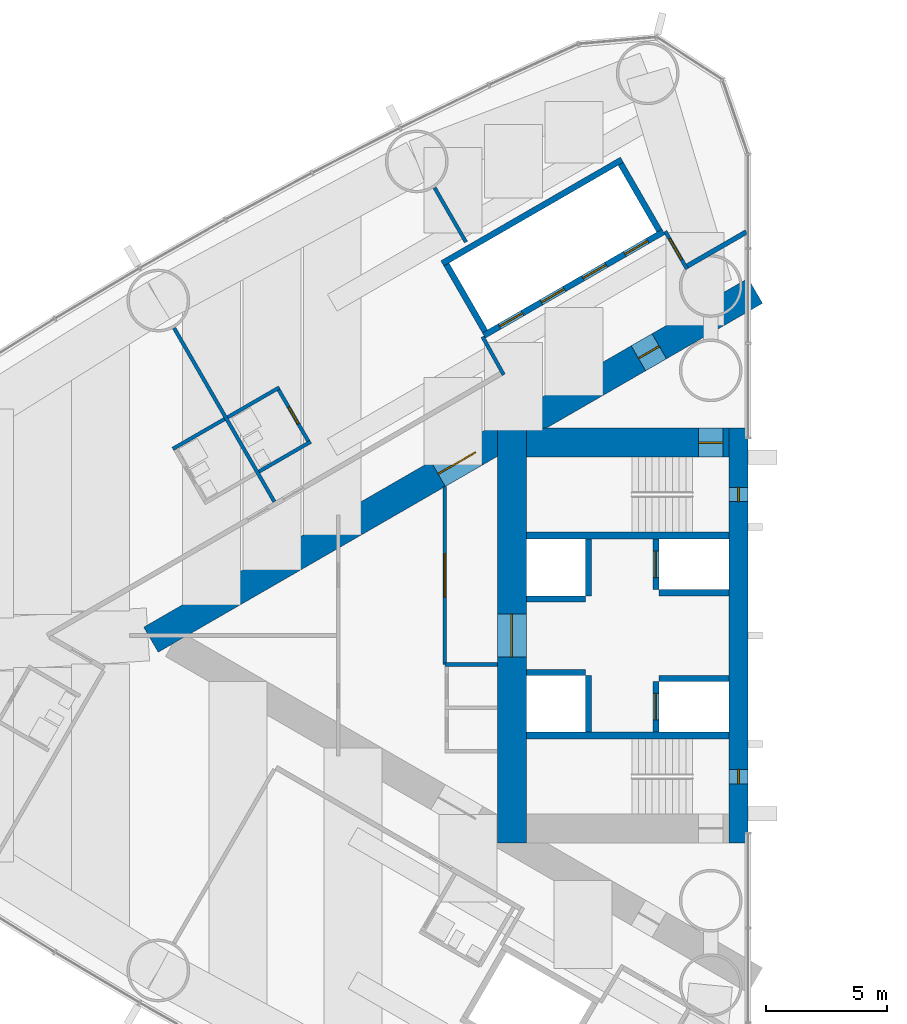
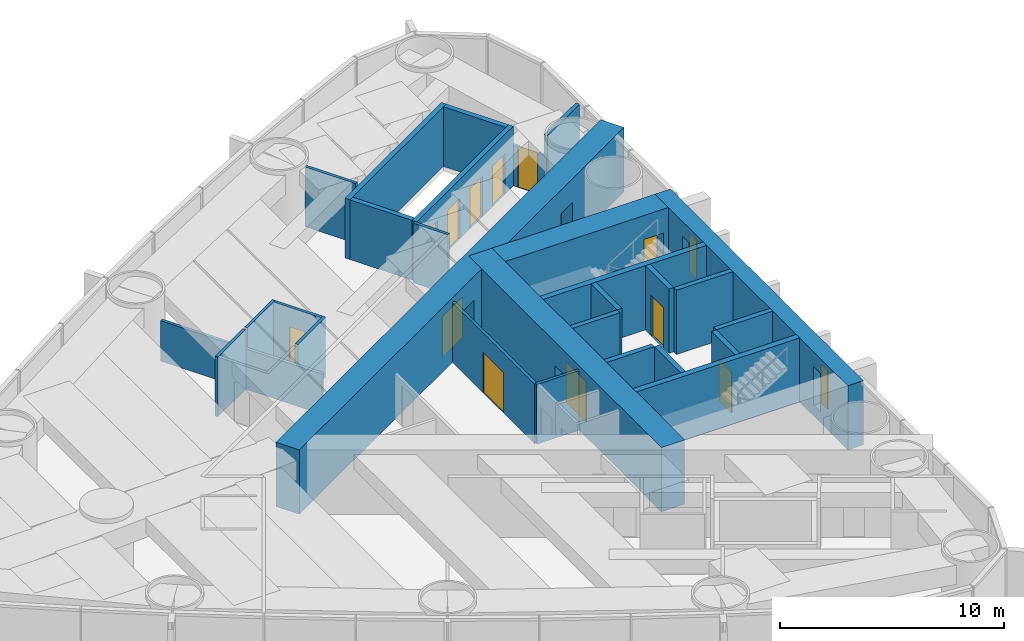
# One storey, part 12 of 18: 29 walls, 13 doors, 2 windows, 15 openings.
"""IFC4 building model written with IfcOpenShell, lengths in metres."""

from ifc_helpers import new_model, si_unit, direction, frame, frame_2d, origin, place, context, subcontext, project, spatial, rectangle, extrude, material, layer, layer_set, type_object, element, fill, save


model = new_model("IFC4")

# Units and contexts
model_context = context("Model", 3, precision=1e-05, world=origin(), true_north=direction((0.0, 1.0)))
body_context = subcontext(model_context, "Body", "Model", "MODEL_VIEW")
ifc_project = project(units=[si_unit("LENGTHUNIT", "METRE"), si_unit("AREAUNIT", "SQUARE_METRE"), si_unit("VOLUMEUNIT", "CUBIC_METRE"), si_unit("PLANEANGLEUNIT", "RADIAN"), si_unit("MASSUNIT", "GRAM", prefix="KILO")], contexts=[model_context])

# Site, building, storey
site_placement = place(None, origin())
site = spatial("IfcSite", under=ifc_project, at=site_placement, CompositionType="ELEMENT")
building_placement = place(site_placement, origin())
building = spatial("IfcBuilding", under=site, at=building_placement, Name="Lancet Gate Hotel", CompositionType="ELEMENT")
storey_placement = place(building_placement, frame((0.0, 0.0, 118.60009765625)))
storey = spatial("IfcBuildingStorey", under=building, at=storey_placement, Name="L31", CompositionType="ELEMENT", Elevation=118.60009765625)

# Walls
ifc_material_1 = material(Name="Moisture resistant board partition")
ifc_layer_1 = layer(ifc_material_1, 0.14990234375)
ifc_layer_set_1 = layer_set([ifc_layer_1], Name="Bathroom wall 150")
wall_type_1 = type_object("IfcWallType", Name="Bathroom wall 150", PredefinedType="PARTITIONING", material=ifc_layer_set_1)
wall_1_placement = place(storey_placement, frame((-49.216064453125, 8.97900390625, 0.0), z_axis=(0.0, 0.0, 1.0), x_axis=(-0.866031185235, -0.4999899861, 0.0)))
element("IfcWall", 1, at=wall_1_placement, inside=storey, type_object=wall_type_1, Name="T1 bathroom wall 150 L31", PredefinedType="PARTITIONING", context=body_context, shape_type="SweptSolid", body=[
    extrude(rectangle(XDim=2.47509765625, YDim=0.14990234375, at=frame_2d((1.237548828125, 0.0))), origin(), (0.0, 0.0, 1.0), 3.25),
])
wall_2_placement = place(storey_placement, frame((-46.94287109375, 10.29150390625, 0.0), z_axis=(0.0, 0.0, 1.0), x_axis=(-0.866006523861, -0.500032699561, 0.0)))
element("IfcWall", 2, at=wall_2_placement, inside=storey, type_object=wall_type_1, Name="T1 bathroom wall 150 L31", PredefinedType="PARTITIONING", context=body_context, shape_type="SweptSolid", body=[
    extrude(rectangle(XDim=2.474853515625, YDim=0.14990234375, at=frame_2d((1.2373046875, 0.0))), origin(), (0.0, 0.0, 1.0), 3.25),
])

# Wall, opening, door
wall_3_placement = place(storey_placement, frame((-45.707763671875, 8.00244140625, 0.0), z_axis=(0.0, 0.0, 1.0), x_axis=(-0.500047596559, 0.865997922154, 0.0)))
wall_3 = element("IfcWall", 3, at=wall_3_placement, inside=storey, type_object=wall_type_1, Name="T1 bathroom wall 150 L31", PredefinedType="PARTITIONING", context=body_context, shape_type="SweptSolid", body=[
    extrude(rectangle(XDim=2.599853515625, YDim=0.14990234375, at=frame_2d((1.2998046875, 0.0))), origin(), (0.0, 0.0, 1.0), 3.25),
])
opening_1_placement = place(wall_3_placement, frame((0.89990234375, 0.0, 0.0)))
opening_1 = element("IfcOpeningElement", 4, at=opening_1_placement, cuts=wall_3, Name="Opening 3102-B", PredefinedType="OPENING", context=body_context, shape_type="SweptSolid", body=[
    extrude(rectangle(XDim=0.800048828125, YDim=2.199951171875, at=frame_2d((0.39990234375, 1.10009765625))), frame((0.0, 0.0849609375, 0.0), z_axis=(0.0, -1.0, 0.0), x_axis=(1.0, 0.0, 0.0)), (0.0, 0.0, 1.0), 0.169921875),
])
ifc_material_2 = material(Name="Timber door set", Category="wood")
door_type_1 = type_object("IfcDoorType", Name="Bathroom door 800", OperationType="SINGLE_SWING_RIGHT", PredefinedType="DOOR", material=ifc_material_2)
door_1_placement = place(opening_1_placement, origin())
door_1 = element("IfcDoor", 5, at=door_1_placement, inside=storey, type_object=door_type_1, Name="3102-B", OperationType="SINGLE_SWING_RIGHT", OverallHeight=2.199951171875, OverallWidth=0.800048828125, PredefinedType="DOOR", context=body_context, shape_type="SweptSolid", body=[
    extrude(rectangle(XDim=0.800048828125, YDim=2.199951171875, at=frame_2d((0.39990234375, 1.10009765625))), frame((0.0, 0.02490234375, 0.0), z_axis=(0.0, -1.0, 0.0), x_axis=(1.0, 0.0, 0.0)), (0.0, 0.0, 1.0), 0.050048828125),
])
fill(opening_1, door_1)

# Wall
wall_4_placement = place(storey_placement, frame((-45.642822265625, 8.039794921875, 0.0), z_axis=(0.0, 0.0, 1.0), x_axis=(-0.866006523861, -0.500032699561, 0.0)))
element("IfcWall", 6, at=wall_4_placement, inside=storey, type_object=wall_type_1, Name="T1 bathroom wall 150 L31", PredefinedType="PARTITIONING", context=body_context, shape_type="SweptSolid", body=[
    extrude(rectangle(XDim=2.474853515625, YDim=0.14990234375, at=frame_2d((1.2373046875, 0.0))), origin(), (0.0, 0.0, 1.0), 3.25),
])

# Wall, openings, doors
ifc_material_3 = material(Name="Concrete C70/85", Category="concrete")
ifc_layer_2 = layer(ifc_material_3, 1.199951171875)
ifc_layer_set_2 = layer_set([ifc_layer_2], Name="Buttress wall 1200")
wall_type_2 = type_object("IfcWallType", Name="Buttress wall 1200", PredefinedType="SHEAR", material=ifc_layer_set_2)
wall_5_placement = place(storey_placement, frame((-27.199951171875, 14.300048828125, 0.0), z_axis=(0.0, 0.0, 1.0), x_axis=(-0.866026593062, -0.499997940104, 0.0)))
wall_5 = element("IfcWall", 7, at=wall_5_placement, inside=storey, type_object=wall_type_2, Name="T1 buttress wall S L31", PredefinedType="SHEAR", context=body_context, shape_type="SweptSolid", body=[
    extrude(rectangle(XDim=28.9462890625, YDim=1.199951171875, at=frame_2d((14.47314453125, 0.0))), origin(), (0.0, 0.0, 1.0), 3.5),
])
opening_2_placement = place(wall_5_placement, frame((4.60009765625, 0.0, 0.0)))
opening_2 = element("IfcOpeningElement", 8, at=opening_2_placement, cuts=wall_5, Name="Opening T1-L31-LS", PredefinedType="OPENING", context=body_context, shape_type="SweptSolid", body=[
    extrude(rectangle(XDim=1.0, YDim=2.199951171875, at=frame_2d((0.5, 1.10009765625))), frame((0.0, 0.60986328125, 0.0), z_axis=(0.0, -1.0, 0.0), x_axis=(1.0, 0.0, 0.0)), (0.0, 0.0, 1.0), 1.219970703125),
])
opening_3_placement = place(wall_5_placement, frame((13.39453125, 0.0, 0.0)))
opening_3 = element("IfcOpeningElement", 9, at=opening_3_placement, cuts=wall_5, Name="Opening T1-L31-LHS", PredefinedType="OPENING", context=body_context, shape_type="SweptSolid", body=[
    extrude(rectangle(XDim=1.800048828125, YDim=2.199951171875, at=frame_2d((0.89990234375, 1.10009765625))), frame((0.0, 0.60986328125, 0.0), z_axis=(0.0, -1.0, 0.0), x_axis=(1.0, 0.0, 0.0)), (0.0, 0.0, 1.0), 1.219970703125),
])
ifc_material_4 = material(Name="Timber door set", Category="wood")
door_type_2 = type_object("IfcDoorType", Name="Lobby double door 1800", OperationType="DOUBLE_DOOR_SINGLE_SWING", PredefinedType="DOOR", material=ifc_material_4)
door_2_placement = place(opening_3_placement, origin())
door_2 = element("IfcDoor", 10, at=door_2_placement, inside=storey, type_object=door_type_2, Name="T1-L31-LHS", OperationType="DOUBLE_DOOR_SINGLE_SWING", OverallHeight=2.199951171875, OverallWidth=1.800048828125, PredefinedType="DOOR", context=body_context, shape_type="SweptSolid", body=[
    extrude(rectangle(XDim=1.800048828125, YDim=2.199951171875, at=frame_2d((0.89990234375, 1.10009765625))), frame((0.0, 0.02490234375, 0.0), z_axis=(0.0, -1.0, 0.0), x_axis=(1.0, 0.0, 0.0)), (0.0, 0.0, 1.0), 0.050048828125),
])
fill(opening_3, door_2)
ifc_material_5 = material(Name="Timber door set", Category="wood")
door_type_3 = type_object("IfcDoorType", Name="Stair lobby door 1000", OperationType="SINGLE_SWING_LEFT", PredefinedType="DOOR", material=ifc_material_5)
door_3_placement = place(opening_2_placement, origin())
door_3 = element("IfcDoor", 11, at=door_3_placement, inside=storey, type_object=door_type_3, Name="T1-L31-LS", OperationType="SINGLE_SWING_LEFT", OverallHeight=2.199951171875, OverallWidth=1.0, PredefinedType="DOOR", context=body_context, shape_type="SweptSolid", body=[
    extrude(rectangle(XDim=1.0, YDim=2.199951171875, at=frame_2d((0.5, 1.10009765625))), frame((0.0, 0.02490234375, 0.0), z_axis=(0.0, -1.0, 0.0), x_axis=(1.0, 0.0, 0.0)), (0.0, 0.0, 1.0), 0.050048828125),
])
fill(opening_2, door_3)

# Wall, opening, door
ifc_material_6 = material(Name="Concrete C70/85", Category="concrete")
ifc_layer_3 = layer(ifc_material_6, 1.199951171875)
ifc_layer_set_3 = layer_set([ifc_layer_3], Name="Core wall 1200")
wall_type_3 = type_object("IfcWallType", Name="Core wall 1200", PredefinedType="SHEAR", material=ifc_layer_set_3)
wall_6_placement = place(storey_placement, frame((-37.300048828125, 8.60009765625, 0.0), z_axis=(0.0, 0.0, 1.0), x_axis=(0.0, -1.0, 0.0)))
wall_6 = element("IfcWall", 12, at=wall_6_placement, inside=storey, type_object=wall_type_3, Name="T1 core wall back L31", PredefinedType="SHEAR", context=body_context, shape_type="SweptSolid", body=[
    extrude(rectangle(XDim=17.2001953125, YDim=1.199951171875, at=frame_2d((8.60009765625, 0.0))), origin(), (0.0, 0.0, 1.0), 3.5),
])
opening_4_placement = place(wall_6_placement, frame((7.699951171875, 0.0, 0.0)))
opening_4 = element("IfcOpeningElement", 13, at=opening_4_placement, cuts=wall_6, Name="Opening T1-L31-LL", PredefinedType="OPENING", context=body_context, shape_type="SweptSolid", body=[
    extrude(rectangle(XDim=1.800048828125, YDim=2.199951171875, at=frame_2d((0.89990234375, 1.10009765625))), frame((0.0, 0.60986328125, 0.0), z_axis=(0.0, -1.0, 0.0), x_axis=(1.0, 0.0, 0.0)), (0.0, 0.0, 1.0), 1.219970703125),
])
door_4_placement = place(opening_4_placement, origin())
door_4 = element("IfcDoor", 14, at=door_4_placement, inside=storey, type_object=door_type_2, Name="T1-L31-LL", OperationType="DOUBLE_DOOR_SINGLE_SWING", OverallHeight=2.199951171875, OverallWidth=1.800048828125, PredefinedType="DOOR", context=body_context, shape_type="SweptSolid", body=[
    extrude(rectangle(XDim=1.800048828125, YDim=2.199951171875, at=frame_2d((0.89990234375, 1.10009765625))), frame((0.0, 0.02490234375, 0.0), z_axis=(0.0, -1.0, 0.0), x_axis=(1.0, 0.0, 0.0)), (0.0, 0.0, 1.0), 0.050048828125),
])
fill(opening_4, door_4)

wall_7_placement = place(storey_placement, frame((-28.300048828125, 8.0, 0.0), z_axis=(0.0, 0.0, 1.0), x_axis=(-1.0, 0.0, 0.0)))
wall_7 = element("IfcWall", 15, at=wall_7_placement, inside=storey, type_object=wall_type_3, Name="T1 core wall side-S L31", PredefinedType="SHEAR", context=body_context, shape_type="SweptSolid", body=[
    extrude(rectangle(XDim=8.39990234375, YDim=1.199951171875, at=frame_2d((4.199951171875, 0.0))), origin(), (0.0, 0.0, 1.0), 3.5),
])
opening_5_placement = place(wall_7_placement, frame((0.25, 0.0, 0.0)))
opening_5 = element("IfcOpeningElement", 16, at=opening_5_placement, cuts=wall_7, Name="Opening T1-L31-ST1", PredefinedType="OPENING", context=body_context, shape_type="SweptSolid", body=[
    extrude(rectangle(XDim=1.0, YDim=2.199951171875, at=frame_2d((0.5, 1.10009765625))), frame((0.0, 0.60986328125, 0.0), z_axis=(0.0, -1.0, 0.0), x_axis=(1.0, 0.0, 0.0)), (0.0, 0.0, 1.0), 1.219970703125),
])
ifc_material_7 = material(Name="Timber door set", Category="wood")
door_type_4 = type_object("IfcDoorType", Name="Stair door 1000", OperationType="SINGLE_SWING_RIGHT", PredefinedType="DOOR", material=ifc_material_7)
door_5_placement = place(opening_5_placement, origin())
door_5 = element("IfcDoor", 17, at=door_5_placement, inside=storey, type_object=door_type_4, Name="T1-L31-ST1", OperationType="SINGLE_SWING_RIGHT", OverallHeight=2.199951171875, OverallWidth=1.0, PredefinedType="DOOR", context=body_context, shape_type="SweptSolid", body=[
    extrude(rectangle(XDim=1.0, YDim=2.199951171875, at=frame_2d((0.5, 1.10009765625))), frame((0.0, 0.02490234375, 0.0), z_axis=(0.0, -1.0, 0.0), x_axis=(1.0, 0.0, 0.0)), (0.0, 0.0, 1.0), 0.050048828125),
])
fill(opening_5, door_5)

# Wall, openings, windows
ifc_material_8 = material(Name="Concrete C70/85", Category="concrete")
ifc_layer_4 = layer(ifc_material_8, 0.800048828125)
ifc_layer_set_4 = layer_set([ifc_layer_4], Name="Core wall 800")
wall_type_4 = type_object("IfcWallType", Name="Core wall 800", PredefinedType="SHEAR", material=ifc_layer_set_4)
wall_8_placement = place(storey_placement, frame((-27.89990234375, 8.60009765625, 0.0), z_axis=(0.0, 0.0, 1.0), x_axis=(0.0, -1.0, 0.0)))
wall_8 = element("IfcWall", 18, at=wall_8_placement, inside=storey, type_object=wall_type_4, Name="T1 core wall front L31", PredefinedType="SHEAR", context=body_context, shape_type="SweptSolid", body=[
    extrude(rectangle(XDim=17.2001953125, YDim=0.800048828125, at=frame_2d((8.60009765625, 0.0))), origin(), (0.0, 0.0, 1.0), 3.5),
])
opening_6_placement = place(wall_8_placement, frame((2.449951171875, 0.0, 0.60009765625)))
opening_6 = element("IfcOpeningElement", 19, at=opening_6_placement, cuts=wall_8, Name="Opening LW1", PredefinedType="OPENING", context=body_context, shape_type="SweptSolid", body=[
    extrude(rectangle(XDim=0.60009765625, YDim=2.10009765625, at=frame_2d((0.300048828125, 1.050048828125))), frame((0.0, 0.409912109375, 0.0), z_axis=(0.0, -1.0, 0.0), x_axis=(1.0, 0.0, 0.0)), (0.0, 0.0, 1.0), 0.820068359375),
])
opening_7_placement = place(wall_8_placement, frame((14.14990234375, 0.0, 0.60009765625)))
opening_7 = element("IfcOpeningElement", 20, at=opening_7_placement, cuts=wall_8, Name="Opening LW1", PredefinedType="OPENING", context=body_context, shape_type="SweptSolid", body=[
    extrude(rectangle(XDim=0.60009765625, YDim=2.10009765625, at=frame_2d((0.300048828125, 1.050048828125))), frame((0.0, 0.409912109375, 0.0), z_axis=(0.0, -1.0, 0.0), x_axis=(1.0, 0.0, 0.0)), (0.0, 0.0, 1.0), 0.820068359375),
])
ifc_material_9 = material(Name="Fire-resisting glazed steel window", Category="steel")
window_type = type_object("IfcWindowType", Name="Lancet window 600x2100", PartitioningType="SINGLE_PANEL", PredefinedType="WINDOW", material=ifc_material_9)
window_1_placement = place(opening_6_placement, origin())
window_1 = element("IfcWindow", 21, at=window_1_placement, inside=storey, type_object=window_type, Name="T1 stair window S L31", OverallHeight=2.10009765625, OverallWidth=0.60009765625, PartitioningType="SINGLE_PANEL", PredefinedType="WINDOW", context=body_context, shape_type="SweptSolid", body=[
    extrude(rectangle(XDim=0.60009765625, YDim=2.10009765625, at=frame_2d((0.300048828125, 1.050048828125))), frame((0.0, 0.030029296875, 0.0), z_axis=(0.0, -1.0, 0.0), x_axis=(1.0, 0.0, 0.0)), (0.0, 0.0, 1.0), 0.06005859375),
])
fill(opening_6, window_1)
window_2_placement = place(opening_7_placement, origin())
window_2 = element("IfcWindow", 22, at=window_2_placement, inside=storey, type_object=window_type, Name="T1 stair window N L31", OverallHeight=2.10009765625, OverallWidth=0.60009765625, PartitioningType="SINGLE_PANEL", PredefinedType="WINDOW", context=body_context, shape_type="SweptSolid", body=[
    extrude(rectangle(XDim=0.60009765625, YDim=2.10009765625, at=frame_2d((0.300048828125, 1.050048828125))), frame((0.0, 0.030029296875, 0.0), z_axis=(0.0, -1.0, 0.0), x_axis=(1.0, 0.0, 0.0)), (0.0, 0.0, 1.0), 0.06005859375),
])
fill(opening_7, window_2)

# Wall
ifc_material_10 = material(Name="Gypsum board partition")
ifc_layer_5 = layer(ifc_material_10, 0.199951171875)
ifc_layer_set_5 = layer_set([ifc_layer_5], Name="Corridor wall 200")
wall_type_5 = type_object("IfcWallType", Name="Corridor wall 200", PredefinedType="PARTITIONING", material=ifc_layer_set_5)
wall_9_placement = place(storey_placement, frame((-27.572021484375, 16.740966796875, 0.0), z_axis=(0.0, 0.0, 1.0), x_axis=(-0.866034618596, -0.499984039138, 0.0)))
element("IfcWall", 23, at=wall_9_placement, inside=storey, type_object=wall_type_5, Name="T1 corridor wall 200 L31", PredefinedType="PARTITIONING", context=body_context, shape_type="SweptSolid", body=[
    extrude(rectangle(XDim=2.8544921875, YDim=0.199951171875, at=frame_2d((1.42724609375, 0.0))), origin(), (0.0, 0.0, 1.0), 3.25),
])

# Wall, openings, doors
ifc_material_11 = material(Name="Gypsum board partition")
ifc_layer_6 = layer(ifc_material_11, 0.25)
ifc_layer_set_6 = layer_set([ifc_layer_6], Name="Lift shaft partition 250")
wall_type_6 = type_object("IfcWallType", Name="Lift shaft partition 250", PredefinedType="PARTITIONING", material=ifc_layer_set_6)
wall_10_placement = place(storey_placement, frame((-31.010498046875, 16.747314453125, 0.0), z_axis=(0.0, 0.0, 1.0), x_axis=(-0.866028165386, -0.499995216735, 0.0)))
wall_10 = element("IfcWall", 24, at=wall_10_placement, inside=storey, type_object=wall_type_6, Name="T1 lift shaft wall LR L31", PredefinedType="PARTITIONING", context=body_context, shape_type="SweptSolid", body=[
    extrude(rectangle(XDim=8.60009765625, YDim=0.25, at=frame_2d((4.300048828125, 0.0))), origin(), (0.0, 0.0, 1.0), 3.25),
])
opening_8_placement = place(wall_10_placement, frame((0.75, 0.0, 0.0)))
opening_8 = element("IfcOpeningElement", 25, at=opening_8_placement, cuts=wall_10, Name="Opening T1-LR1-L31", PredefinedType="OPENING", context=body_context, shape_type="SweptSolid", body=[
    extrude(rectangle(XDim=1.10009765625, YDim=2.199951171875, at=frame_2d((0.550048828125, 1.10009765625))), frame((0.0, 0.135009765625, 0.0), z_axis=(0.0, -1.0, 0.0), x_axis=(1.0, 0.0, 0.0)), (0.0, 0.0, 1.0), 0.27001953125),
])
opening_9_placement = place(wall_10_placement, frame((2.75, 0.0, 0.0)))
opening_9 = element("IfcOpeningElement", 26, at=opening_9_placement, cuts=wall_10, Name="Opening T1-LR2-L31", PredefinedType="OPENING", context=body_context, shape_type="SweptSolid", body=[
    extrude(rectangle(XDim=1.10009765625, YDim=2.199951171875, at=frame_2d((0.550048828125, 1.10009765625))), frame((0.0, 0.135009765625, 0.0), z_axis=(0.0, -1.0, 0.0), x_axis=(1.0, 0.0, 0.0)), (0.0, 0.0, 1.0), 0.27001953125),
])
opening_10_placement = place(wall_10_placement, frame((4.75, 0.0, 0.0)))
opening_10 = element("IfcOpeningElement", 27, at=opening_10_placement, cuts=wall_10, Name="Opening T1-LR3-L31", PredefinedType="OPENING", context=body_context, shape_type="SweptSolid", body=[
    extrude(rectangle(XDim=1.10009765625, YDim=2.199951171875, at=frame_2d((0.550048828125, 1.10009765625))), frame((0.0, 0.135009765625, 0.0), z_axis=(0.0, -1.0, 0.0), x_axis=(1.0, 0.0, 0.0)), (0.0, 0.0, 1.0), 0.27001953125),
])
opening_11_placement = place(wall_10_placement, frame((6.75, 0.0, 0.0)))
opening_11 = element("IfcOpeningElement", 28, at=opening_11_placement, cuts=wall_10, Name="Opening T1-LR4-L31", PredefinedType="OPENING", context=body_context, shape_type="SweptSolid", body=[
    extrude(rectangle(XDim=1.10009765625, YDim=2.199951171875, at=frame_2d((0.550048828125, 1.10009765625))), frame((0.0, 0.135009765625, 0.0), z_axis=(0.0, -1.0, 0.0), x_axis=(1.0, 0.0, 0.0)), (0.0, 0.0, 1.0), 0.27001953125),
])
ifc_material_12 = material(Name="Steel door set", Category="steel")
door_type_5 = type_object("IfcDoorType", Name="Lift landing door 1100", OperationType="DOUBLE_DOOR_SLIDING", PredefinedType="USERDEFINED", material=ifc_material_12)
door_6_placement = place(opening_8_placement, origin())
door_6 = element("IfcDoor", 29, at=door_6_placement, inside=storey, type_object=door_type_5, Name="T1-LR1-L31", ObjectType="LIFT LANDING DOOR", OperationType="DOUBLE_DOOR_SLIDING", OverallHeight=2.199951171875, OverallWidth=1.10009765625, PredefinedType="USERDEFINED", context=body_context, shape_type="SweptSolid", body=[
    extrude(rectangle(XDim=1.10009765625, YDim=2.199951171875, at=frame_2d((0.550048828125, 1.10009765625))), frame((0.0, 0.02490234375, 0.0), z_axis=(0.0, -1.0, 0.0), x_axis=(1.0, 0.0, 0.0)), (0.0, 0.0, 1.0), 0.050048828125),
])
fill(opening_8, door_6)
door_7_placement = place(opening_9_placement, origin())
door_7 = element("IfcDoor", 30, at=door_7_placement, inside=storey, type_object=door_type_5, Name="T1-LR2-L31", ObjectType="LIFT LANDING DOOR", OperationType="DOUBLE_DOOR_SLIDING", OverallHeight=2.199951171875, OverallWidth=1.10009765625, PredefinedType="USERDEFINED", context=body_context, shape_type="SweptSolid", body=[
    extrude(rectangle(XDim=1.10009765625, YDim=2.199951171875, at=frame_2d((0.550048828125, 1.10009765625))), frame((0.0, 0.02490234375, 0.0), z_axis=(0.0, -1.0, 0.0), x_axis=(1.0, 0.0, 0.0)), (0.0, 0.0, 1.0), 0.050048828125),
])
fill(opening_9, door_7)
door_8_placement = place(opening_10_placement, origin())
door_8 = element("IfcDoor", 31, at=door_8_placement, inside=storey, type_object=door_type_5, Name="T1-LR3-L31", ObjectType="LIFT LANDING DOOR", OperationType="DOUBLE_DOOR_SLIDING", OverallHeight=2.199951171875, OverallWidth=1.10009765625, PredefinedType="USERDEFINED", context=body_context, shape_type="SweptSolid", body=[
    extrude(rectangle(XDim=1.10009765625, YDim=2.199951171875, at=frame_2d((0.550048828125, 1.10009765625))), frame((0.0, 0.02490234375, 0.0), z_axis=(0.0, -1.0, 0.0), x_axis=(1.0, 0.0, 0.0)), (0.0, 0.0, 1.0), 0.050048828125),
])
fill(opening_10, door_8)
door_9_placement = place(opening_11_placement, origin())
door_9 = element("IfcDoor", 32, at=door_9_placement, inside=storey, type_object=door_type_5, Name="T1-LR4-L31", ObjectType="LIFT LANDING DOOR", OperationType="DOUBLE_DOOR_SLIDING", OverallHeight=2.199951171875, OverallWidth=1.10009765625, PredefinedType="USERDEFINED", context=body_context, shape_type="SweptSolid", body=[
    extrude(rectangle(XDim=1.10009765625, YDim=2.199951171875, at=frame_2d((0.550048828125, 1.10009765625))), frame((0.0, 0.02490234375, 0.0), z_axis=(0.0, -1.0, 0.0), x_axis=(1.0, 0.0, 0.0)), (0.0, 0.0, 1.0), 0.050048828125),
])
fill(opening_11, door_9)

# Walls
wall_11_placement = place(storey_placement, frame((-32.735595703125, 19.73583984375, 0.0), z_axis=(0.0, 0.0, 1.0), x_axis=(-0.866028165386, -0.499995216735, 0.0)))
element("IfcWall", 33, at=wall_11_placement, inside=storey, type_object=wall_type_6, Name="T1 lift shaft wall LR L31", PredefinedType="PARTITIONING", context=body_context, shape_type="SweptSolid", body=[
    extrude(rectangle(XDim=8.60009765625, YDim=0.25, at=frame_2d((4.300048828125, 0.0))), origin(), (0.0, 0.0, 1.0), 3.25),
])
wall_12_placement = place(storey_placement, frame((-31.18115234375, 16.79296875, 0.0), z_axis=(0.0, 0.0, 1.0), x_axis=(-0.499929347863, 0.866066190972, 0.0)))
element("IfcWall", 34, at=wall_12_placement, inside=storey, type_object=wall_type_6, Name="T1 lift shaft wall LR L31", PredefinedType="PARTITIONING", context=body_context, shape_type="SweptSolid", body=[
    extrude(rectangle(XDim=3.20068359375, YDim=0.25, at=frame_2d((1.600341796875, 0.0))), origin(), (0.0, 0.0, 1.0), 3.25),
])
wall_13_placement = place(storey_placement, frame((-38.412841796875, 12.617919921875, 0.0), z_axis=(0.0, 0.0, 1.0), x_axis=(-0.499872130319, 0.866099216793, 0.0)))
element("IfcWall", 35, at=wall_13_placement, inside=storey, type_object=wall_type_6, Name="T1 lift shaft wall LR L31", PredefinedType="PARTITIONING", context=body_context, shape_type="SweptSolid", body=[
    extrude(rectangle(XDim=3.200439453125, YDim=0.25, at=frame_2d((1.60009765625, 0.0))), origin(), (0.0, 0.0, 1.0), 3.25),
])

# Wall, opening, door
ifc_material_13 = material(Name="Concrete C50/60", Category="concrete")
ifc_layer_7 = layer(ifc_material_13, 0.25)
ifc_layer_set_7 = layer_set([ifc_layer_7], Name="Lift shaft wall 250")
wall_type_7 = type_object("IfcWallType", Name="Lift shaft wall 250", PredefinedType="SHEAR", material=ifc_layer_set_7)
wall_14_placement = place(storey_placement, frame((-31.324951171875, 4.0, 0.0), z_axis=(0.0, 0.0, 1.0), x_axis=(0.0, -1.0, 0.0)))
wall_14 = element("IfcWall", 36, at=wall_14_placement, inside=storey, type_object=wall_type_7, Name="T1 core wall row1-S L31", PredefinedType="SHEAR", context=body_context, shape_type="SweptSolid", body=[
    extrude(rectangle(XDim=2.10009765625, YDim=0.25, at=frame_2d((1.050048828125, 0.0))), origin(), (0.0, 0.0, 1.0), 3.5),
])
opening_12_placement = place(wall_14_placement, frame((0.5, 0.0, 0.0)))
opening_12 = element("IfcOpeningElement", 37, at=opening_12_placement, cuts=wall_14, Name="Opening T1-SL1-L31", PredefinedType="OPENING", context=body_context, shape_type="SweptSolid", body=[
    extrude(rectangle(XDim=1.10009765625, YDim=2.199951171875, at=frame_2d((0.550048828125, 1.10009765625))), frame((0.0, 0.135009765625, 0.0), z_axis=(0.0, -1.0, 0.0), x_axis=(1.0, 0.0, 0.0)), (0.0, 0.0, 1.0), 0.27001953125),
])
ifc_material_14 = material(Name="Timber door set", Category="wood")
door_type_6 = type_object("IfcDoorType", Name="Service lift landing door 1100", OperationType="SLIDING_TO_LEFT", PredefinedType="USERDEFINED", material=ifc_material_14)
door_10_placement = place(opening_12_placement, origin())
door_10 = element("IfcDoor", 38, at=door_10_placement, inside=storey, type_object=door_type_6, Name="T1-SL1-L31", ObjectType="LIFT LANDING DOOR", OperationType="SLIDING_TO_LEFT", OverallHeight=2.199951171875, OverallWidth=1.10009765625, PredefinedType="USERDEFINED", context=body_context, shape_type="SweptSolid", body=[
    extrude(rectangle(XDim=1.10009765625, YDim=2.199951171875, at=frame_2d((0.550048828125, 1.10009765625))), frame((0.0, 0.02490234375, 0.0), z_axis=(0.0, -1.0, 0.0), x_axis=(1.0, 0.0, 0.0)), (0.0, 0.0, 1.0), 0.050048828125),
])
fill(opening_12, door_10)

# Walls
wall_15_placement = place(storey_placement, frame((-34.125, 4.0, 0.0), z_axis=(0.0, 0.0, 1.0), x_axis=(0.0, -1.0, 0.0)))
element("IfcWall", 39, at=wall_15_placement, inside=storey, type_object=wall_type_7, Name="T1 core wall row2-S L31", PredefinedType="SHEAR", context=body_context, shape_type="SweptSolid", body=[
    extrude(rectangle(XDim=2.35009765625, YDim=0.25, at=frame_2d((1.175048828125, 0.0))), origin(), (0.0, 0.0, 1.0), 3.5),
])
wall_16_placement = place(storey_placement, frame((-28.300048828125, 1.77490234375, 0.0), z_axis=(0.0, 0.0, 1.0), x_axis=(-1.0, 0.0, 0.0)))
element("IfcWall", 40, at=wall_16_placement, inside=storey, type_object=wall_type_7, Name="T1 core wall pass1-S L31", PredefinedType="SHEAR", context=body_context, shape_type="SweptSolid", body=[
    extrude(rectangle(XDim=2.89990234375, YDim=0.25, at=frame_2d((1.449951171875, 0.0))), origin(), (0.0, 0.0, 1.0), 3.5),
])
wall_17_placement = place(storey_placement, frame((-34.25, 1.52490234375, 0.0), z_axis=(0.0, 0.0, 1.0), x_axis=(-1.0, 0.0, 0.0)))
element("IfcWall", 41, at=wall_17_placement, inside=storey, type_object=wall_type_7, Name="T1 core wall pass2-S L31", PredefinedType="SHEAR", context=body_context, shape_type="SweptSolid", body=[
    extrude(rectangle(XDim=2.449951171875, YDim=0.25, at=frame_2d((1.22509765625, 0.0))), origin(), (0.0, 0.0, 1.0), 3.5),
])

# Wall, opening, door
wall_18_placement = place(storey_placement, frame((-31.324951171875, -1.89990234375, 0.0), z_axis=(0.0, 0.0, 1.0), x_axis=(0.0, -1.0, 0.0)))
wall_18 = element("IfcWall", 42, at=wall_18_placement, inside=storey, type_object=wall_type_7, Name="T1 core wall row1-N L31", PredefinedType="SHEAR", context=body_context, shape_type="SweptSolid", body=[
    extrude(rectangle(XDim=2.10009765625, YDim=0.25, at=frame_2d((1.050048828125, 0.0))), origin(), (0.0, 0.0, 1.0), 3.5),
])
opening_13_placement = place(wall_18_placement, frame((0.5, 0.0, 0.0)))
opening_13 = element("IfcOpeningElement", 43, at=opening_13_placement, cuts=wall_18, Name="Opening T1-FL2-L31", PredefinedType="OPENING", context=body_context, shape_type="SweptSolid", body=[
    extrude(rectangle(XDim=1.10009765625, YDim=2.199951171875, at=frame_2d((0.550048828125, 1.10009765625))), frame((0.0, 0.135009765625, 0.0), z_axis=(0.0, -1.0, 0.0), x_axis=(1.0, 0.0, 0.0)), (0.0, 0.0, 1.0), 0.27001953125),
])
ifc_material_15 = material(Name="Steel door set", Category="steel")
door_type_7 = type_object("IfcDoorType", Name="Firefighting lift landing door 1100", OperationType="SLIDING_TO_LEFT", PredefinedType="USERDEFINED", material=ifc_material_15)
door_11_placement = place(opening_13_placement, origin())
door_11 = element("IfcDoor", 44, at=door_11_placement, inside=storey, type_object=door_type_7, Name="T1-FL2-L31", ObjectType="LIFT LANDING DOOR", OperationType="SLIDING_TO_LEFT", OverallHeight=2.199951171875, OverallWidth=1.10009765625, PredefinedType="USERDEFINED", context=body_context, shape_type="SweptSolid", body=[
    extrude(rectangle(XDim=1.10009765625, YDim=2.199951171875, at=frame_2d((0.550048828125, 1.10009765625))), frame((0.0, 0.02490234375, 0.0), z_axis=(0.0, -1.0, 0.0), x_axis=(1.0, 0.0, 0.0)), (0.0, 0.0, 1.0), 0.050048828125),
])
fill(opening_13, door_11)

# Walls
wall_19_placement = place(storey_placement, frame((-34.125, -1.64990234375, 0.0), z_axis=(0.0, 0.0, 1.0), x_axis=(0.0, -1.0, 0.0)))
element("IfcWall", 45, at=wall_19_placement, inside=storey, type_object=wall_type_7, Name="T1 core wall row2-N L31", PredefinedType="SHEAR", context=body_context, shape_type="SweptSolid", body=[
    extrude(rectangle(XDim=2.35009765625, YDim=0.25, at=frame_2d((1.175048828125, 0.0))), origin(), (0.0, 0.0, 1.0), 3.5),
])
wall_20_placement = place(storey_placement, frame((-28.300048828125, -1.77490234375, 0.0), z_axis=(0.0, 0.0, 1.0), x_axis=(-1.0, 0.0, 0.0)))
element("IfcWall", 46, at=wall_20_placement, inside=storey, type_object=wall_type_7, Name="T1 core wall pass1-N L31", PredefinedType="SHEAR", context=body_context, shape_type="SweptSolid", body=[
    extrude(rectangle(XDim=2.89990234375, YDim=0.25, at=frame_2d((1.449951171875, 0.0))), origin(), (0.0, 0.0, 1.0), 3.5),
])
wall_21_placement = place(storey_placement, frame((-34.25, -1.52490234375, 0.0), z_axis=(0.0, 0.0, 1.0), x_axis=(-1.0, 0.0, 0.0)))
element("IfcWall", 47, at=wall_21_placement, inside=storey, type_object=wall_type_7, Name="T1 core wall pass2-N L31", PredefinedType="SHEAR", context=body_context, shape_type="SweptSolid", body=[
    extrude(rectangle(XDim=2.449951171875, YDim=0.25, at=frame_2d((1.22509765625, 0.0))), origin(), (0.0, 0.0, 1.0), 3.5),
])
ifc_material_16 = material(Name="Gypsum board partition")
ifc_layer_8 = layer(ifc_material_16, 0.14990234375)
ifc_layer_set_8 = layer_set([ifc_layer_8], Name="Party wall 150")
wall_type_8 = type_object("IfcWallType", Name="Party wall 150", PredefinedType="PARTITIONING", material=ifc_layer_set_8)
wall_22_placement = place(storey_placement, frame((-47.151123046875, 5.552490234375, 0.0), z_axis=(0.0, 0.0, 1.0), x_axis=(-0.500003012045, 0.866023664773, 0.0)))
element("IfcWall", 48, at=wall_22_placement, inside=storey, type_object=wall_type_8, Name="T1 party wall 150 L31", PredefinedType="PARTITIONING", context=body_context, shape_type="SweptSolid", body=[
    extrude(rectangle(XDim=8.31103515625, YDim=0.14990234375, at=frame_2d((4.155517578125, 0.0))), origin(), (0.0, 0.0, 1.0), 2.199951171875),
])
wall_23_placement = place(storey_placement, frame((-39.202392578125, 16.31982421875, 0.0), z_axis=(0.0, 0.0, 1.0), x_axis=(-0.499947391036, 0.866055775454, 0.0)))
element("IfcWall", 49, at=wall_23_placement, inside=storey, type_object=wall_type_8, Name="T1 party wall 150 L31", PredefinedType="PARTITIONING", context=body_context, shape_type="SweptSolid", body=[
    extrude(rectangle(XDim=2.599365234375, YDim=0.14990234375, at=frame_2d((1.2998046875, 0.0))), origin(), (0.0, 0.0, 1.0), 3.25),
])
ifc_material_17 = material(Name="Gypsum board partition")
ifc_layer_9 = layer(ifc_material_17, 0.14990234375)
ifc_layer_set_9 = layer_set([ifc_layer_9], Name="Service room wall 150")
wall_type_9 = type_object("IfcWallType", Name="Service room wall 150", PredefinedType="PARTITIONING", material=ifc_layer_set_9)
wall_24_placement = place(storey_placement, frame((-38.513427734375, 12.392333984375, 0.0), z_axis=(0.0, 0.0, 1.0), x_axis=(0.485585508183, -0.874189175317, 0.0)))
element("IfcWall", 50, at=wall_24_placement, inside=storey, type_object=wall_type_9, Name="T1 service room wall 150 L31", PredefinedType="PARTITIONING", context=body_context, shape_type="SweptSolid", body=[
    extrude(rectangle(XDim=1.804931640625, YDim=0.14990234375, at=frame_2d((0.90234375, 0.0))), origin(), (0.0, 0.0, 1.0), 3.25),
])

# Wall, opening, door
wall_25_placement = place(storey_placement, frame((-30.033203125, 15.20458984375, 0.0), z_axis=(0.0, 0.0, 1.0), x_axis=(-0.499980071345, 0.866036909293, 0.0)))
wall_25 = element("IfcWall", 51, at=wall_25_placement, inside=storey, type_object=wall_type_9, Name="T1 service room wall 150 L31", PredefinedType="PARTITIONING", context=body_context, shape_type="SweptSolid", body=[
    extrude(rectangle(XDim=1.8046875, YDim=0.14990234375, at=frame_2d((0.90234375, 0.0))), origin(), (0.0, 0.0, 1.0), 2.199951171875),
])
opening_14_placement = place(wall_25_placement, frame((0.451904296875, 0.0, 0.0)))
opening_14 = element("IfcOpeningElement", 52, at=opening_14_placement, cuts=wall_25, Name="Opening T1-L31-LO1", PredefinedType="OPENING", context=body_context, shape_type="SweptSolid", body=[
    extrude(rectangle(XDim=1.0, YDim=2.199951171875, at=frame_2d((0.5, 1.10009765625))), frame((0.0, 0.0849609375, 0.0), z_axis=(0.0, -1.0, 0.0), x_axis=(1.0, 0.0, 0.0)), (0.0, 0.0, 1.0), 0.169921875),
])
ifc_material_18 = material(Name="Timber door set", Category="wood")
door_type_8 = type_object("IfcDoorType", Name="Service door 1000", OperationType="SINGLE_SWING_LEFT", PredefinedType="DOOR", material=ifc_material_18)
door_12_placement = place(opening_14_placement, origin())
door_12 = element("IfcDoor", 53, at=door_12_placement, inside=storey, type_object=door_type_8, Name="T1-L31-LO1", OperationType="SINGLE_SWING_LEFT", OverallHeight=2.199951171875, OverallWidth=1.0, PredefinedType="DOOR", context=body_context, shape_type="SweptSolid", body=[
    extrude(rectangle(XDim=1.0, YDim=2.199951171875, at=frame_2d((0.5, 1.10009765625))), frame((0.0, 0.02490234375, 0.0), z_axis=(0.0, -1.0, 0.0), x_axis=(1.0, 0.0, 0.0)), (0.0, 0.0, 1.0), 0.050048828125),
])
fill(opening_14, door_12)

# Wall
wall_26_placement = place(storey_placement, frame((-37.89990234375, -1.199951171875, 0.0), z_axis=(0.0, 0.0, 1.0), x_axis=(-1.0, 0.0, 0.0)))
element("IfcWall", 54, at=wall_26_placement, inside=storey, type_object=wall_type_9, Name="T1 service room wall 150 L31", PredefinedType="PARTITIONING", context=body_context, shape_type="SweptSolid", body=[
    extrude(rectangle(XDim=2.175048828125, YDim=0.14990234375, at=frame_2d((1.08740234375, 0.0))), origin(), (0.0, 0.0, 1.0), 3.25),
])

# Wall, opening, door
wall_27_placement = place(storey_placement, frame((-40.074951171875, 6.173828125, 0.0), z_axis=(0.0, 0.0, 1.0), x_axis=(0.0, -1.0, 0.0)))
wall_27 = element("IfcWall", 55, at=wall_27_placement, inside=storey, type_object=wall_type_9, Name="T1 service room wall 150 L31", PredefinedType="PARTITIONING", context=body_context, shape_type="SweptSolid", body=[
    extrude(rectangle(XDim=7.373779296875, YDim=0.14990234375, at=frame_2d((3.68701171875, 0.0))), origin(), (0.0, 0.0, 1.0), 3.25),
])
opening_15_placement = place(wall_27_placement, frame((2.786865234375, 0.0, 0.0)))
opening_15 = element("IfcOpeningElement", 56, at=opening_15_placement, cuts=wall_27, Name="Opening T1-L31-LH", PredefinedType="OPENING", context=body_context, shape_type="SweptSolid", body=[
    extrude(rectangle(XDim=1.800048828125, YDim=2.199951171875, at=frame_2d((0.89990234375, 1.10009765625))), frame((0.0, 0.0849609375, 0.0), z_axis=(0.0, -1.0, 0.0), x_axis=(1.0, 0.0, 0.0)), (0.0, 0.0, 1.0), 0.169921875),
])
door_13_placement = place(opening_15_placement, origin())
door_13 = element("IfcDoor", 57, at=door_13_placement, inside=storey, type_object=door_type_2, Name="T1-L31-LH", OperationType="DOUBLE_DOOR_SINGLE_SWING", OverallHeight=2.199951171875, OverallWidth=1.800048828125, PredefinedType="DOOR", context=body_context, shape_type="SweptSolid", body=[
    extrude(rectangle(XDim=1.800048828125, YDim=2.199951171875, at=frame_2d((0.89990234375, 1.10009765625))), frame((0.0, 0.02490234375, 0.0), z_axis=(0.0, -1.0, 0.0), x_axis=(1.0, 0.0, 0.0)), (0.0, 0.0, 1.0), 0.050048828125),
])
fill(opening_15, door_13)

# Walls
ifc_material_19 = material(Name="Concrete C50/60", Category="concrete")
ifc_layer_10 = layer(ifc_material_19, 0.300048828125)
ifc_layer_set_10 = layer_set([ifc_layer_10], Name="Stair enclosure wall 300")
wall_type_10 = type_object("IfcWallType", Name="Stair enclosure wall 300", PredefinedType="SHEAR", material=ifc_layer_set_10)
for number, where, z_axis, x_axis, name in (
    (58, (-28.300048828125, 4.14990234375, 0.0), (0.0, 0.0, 1.0), (-1.0, 0.0, 0.0), "T1 core wall stair-S L31"),
    (59, (-28.300048828125, -4.14990234375, 0.0), (0.0, 0.0, 1.0), (-1.0, 0.0, 0.0), "T1 core wall stair-N L31"),
):
    element("IfcWall", number, at=place(storey_placement, frame(where, z_axis=z_axis, x_axis=x_axis)), inside=storey, type_object=wall_type_10, Name=name, PredefinedType="SHEAR", context=body_context, shape_type="SweptSolid", body=[
        extrude(rectangle(XDim=8.39990234375, YDim=0.300048828125, at=frame_2d((4.199951171875, 0.0))), origin(), (0.0, 0.0, 1.0), 3.5),
    ])

save(model, "model.ifc")
